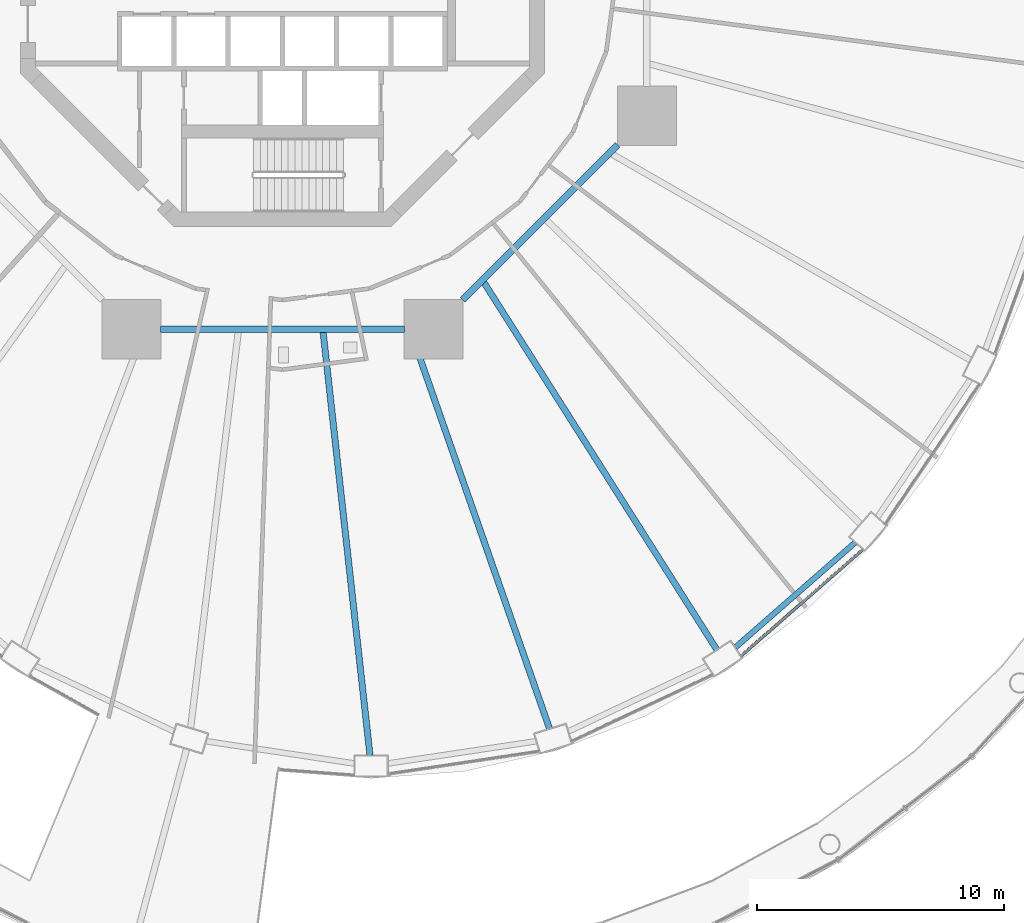
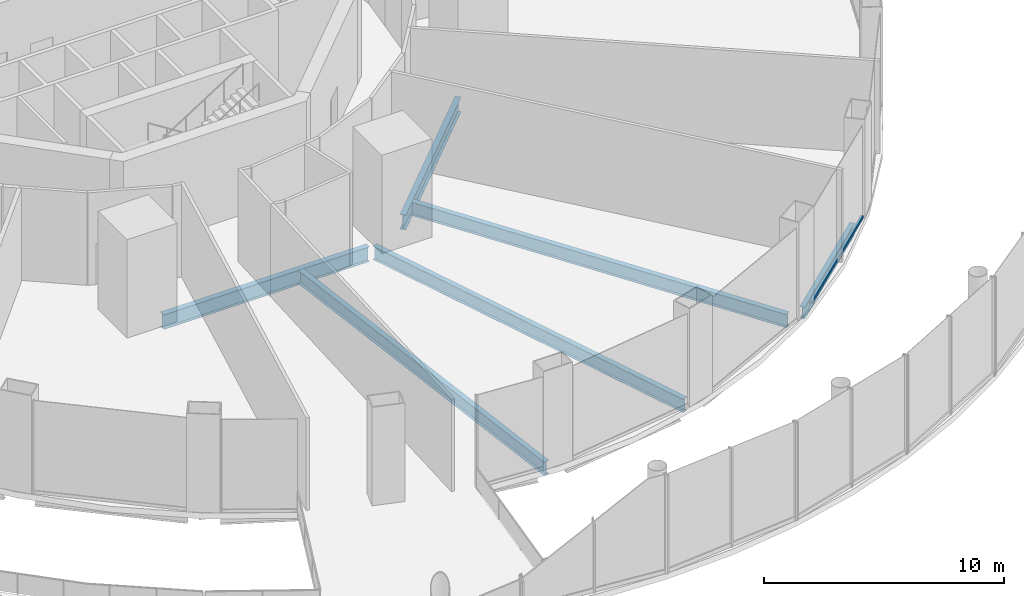
# One storey, part 12 of 48: 6 beams, 1 member, 1 element without a shape of its own.
"""IFC4 building model written with IfcOpenShell, lengths in metres."""

import ifcopenshell
import ifcopenshell.guid

model = None  # the IFC model being written
_history = None  # IfcOwnerHistory: only IFC2X3 demands one
_inside = {}  # id of a spatial element -> (the spatial element, [elements in it])
_under = {}  # id of a project, library or spatial element -> (it, [spatial elements below it])
_declared = {}  # id of a project -> (the project, [libraries it declares])
_typed = {}  # id of a type object -> (the type object, [elements of that type])
_made_of = {}  # id of a material, layer set ... -> (it, [elements and type objects made of it])


def new_model(schema):
    """Start an empty IFC model of exactly this schema.

    Asked for "IFC4X3", IfcOpenShell would pick the latest addendum, in which some entities
    have other attributes; the version numbers below select the first issue.
    IFC2X3 requires an IfcOwnerHistory on every rooted entity: one is made here for all.
    """
    global model, _history
    if schema == "IFC4X3":
        model = ifcopenshell.file(schema_version=(4, 3, 0, 0))
    else:
        model = ifcopenshell.file(schema=schema)
    _inside.clear()
    _under.clear()
    _declared.clear()
    _typed.clear()
    _made_of.clear()
    _history = None
    if model.schema == "IFC2X3":
        org = make("IfcOrganization", Name="unknown")
        user = make(
            "IfcPersonAndOrganization",
            ThePerson=make("IfcPerson", FamilyName="unknown"),
            TheOrganization=org,
        )
        app = make(
            "IfcApplication",
            ApplicationDeveloper=org,
            Version="unknown",
            ApplicationFullName="unknown",
            ApplicationIdentifier="unknown",
        )
        _history = make(
            "IfcOwnerHistory",
            OwningUser=user,
            OwningApplication=app,
            ChangeAction="ADDED",
            CreationDate=0,
        )
    return model


def make(cls, **values):
    """One entity of the class cls with the attributes given. An attribute that is None is left unset."""
    return model.create_entity(
        cls, **{name: value for name, value in values.items() if value is not None}
    )


def rooted(cls, **values):
    """An entity with a GlobalId (a new one), such as an element, a storey or a relation."""
    return make(cls, GlobalId=ifcopenshell.guid.new(), OwnerHistory=_history, **values)


def si_unit(unit_type, name, prefix=None):
    """IfcSIUnit, for example si_unit("LENGTHUNIT", "METRE", prefix="MILLI")."""
    return make("IfcSIUnit", UnitType=unit_type, Prefix=prefix, Name=name)


def assignment(units):
    """IfcUnitAssignment: the units of a project."""
    return None if units is None else make("IfcUnitAssignment", Units=units)


def point(xyz):
    """IfcCartesianPoint."""
    return None if xyz is None else make("IfcCartesianPoint", Coordinates=xyz)


def direction(xyz):
    """IfcDirection."""
    return None if xyz is None else make("IfcDirection", DirectionRatios=xyz)


def frame(location, z_axis=None, x_axis=None):
    """IfcAxis2Placement3D, a coordinate frame: its origin and axes. An axis left out is left unset."""
    return make(
        "IfcAxis2Placement3D",
        Location=point(location),
        Axis=direction(z_axis),
        RefDirection=direction(x_axis),
    )


def frame_2d(location, x_axis=None):
    """IfcAxis2Placement2D, a coordinate frame in the plane: its origin and x axis."""
    return make(
        "IfcAxis2Placement2D", Location=point(location), RefDirection=direction(x_axis)
    )


def origin():
    """The frame at (0, 0, 0) with its axes left unset."""
    return frame((0.0, 0.0, 0.0))


def origin_2d():
    """The frame at (0, 0) in the plane with its x axis left unset."""
    return frame_2d((0.0, 0.0))


def place(relative_to, where):
    """IfcLocalPlacement: puts the frame where relative to a parent placement (None: the world)."""
    return make(
        "IfcLocalPlacement", PlacementRelTo=relative_to, RelativePlacement=where
    )


def context(
    kind, dimensions, precision=None, world=None, true_north=None, identifier=None
):
    """IfcGeometricRepresentationContext, for example the 3D "Model" context."""
    return make(
        "IfcGeometricRepresentationContext",
        ContextIdentifier=identifier,
        ContextType=kind,
        CoordinateSpaceDimension=dimensions,
        Precision=precision,
        WorldCoordinateSystem=world,
        TrueNorth=true_north,
    )


def subcontext(parent, identifier, kind, view, scale=None):
    """IfcGeometricRepresentationSubContext, for example "Body" below "Model"."""
    return make(
        "IfcGeometricRepresentationSubContext",
        ContextIdentifier=identifier,
        ContextType=kind,
        ParentContext=parent,
        TargetScale=scale,
        TargetView=view,
    )


def project(units=None, contexts=None):
    """IfcProject with its units and contexts."""
    return rooted(
        "IfcProject",
        Name="project",
        RepresentationContexts=contexts,
        UnitsInContext=assignment(units),
    )


def spatial(cls, under=None, at=None, **own):
    """A site, building, storey or space (cls), placed at a placement, below another one or the project."""
    s = rooted(cls, ObjectPlacement=at, **own)
    if under is not None:
        _under.setdefault(under.id(), (under, []))[1].append(s)
    return s


def profile(cls, at=None, kind="AREA", **sizes):
    """A parametric profile (cls). Its sizes go by their IFC names, for example OverallWidth=200.0."""
    return make(cls, ProfileType=kind, Position=at, **sizes)


def hollow_rectangle(**sizes):
    """IfcRectangleHollowProfileDef."""
    return profile("IfcRectangleHollowProfileDef", **sizes)


def i_section(**sizes):
    """IfcIShapeProfileDef."""
    return profile("IfcIShapeProfileDef", **sizes)


def extrude(swept, where, along, depth):
    """IfcExtrudedAreaSolid: the profile swept, set in the frame where, extruded along a direction by depth."""
    return make(
        "IfcExtrudedAreaSolid",
        SweptArea=swept,
        Position=where,
        ExtrudedDirection=direction(along),
        Depth=depth,
    )


def shape(context_of_items, identifier, shape_type, items):
    """IfcShapeRepresentation: the items that make up one representation, for example the "Body"."""
    return make(
        "IfcShapeRepresentation",
        ContextOfItems=context_of_items,
        RepresentationIdentifier=identifier,
        RepresentationType=shape_type,
        Items=items,
    )


def material(Name=None, Category=None):
    """IfcMaterial."""
    return make("IfcMaterial", Name=Name, Category=Category)


def layer(
    of_material, thickness, ventilated=None, Name=None, Category=None, Priority=None
):
    """IfcMaterialLayer: one layer of a wall or slab, of a material (None: an air gap)."""
    return make(
        "IfcMaterialLayer",
        Material=of_material,
        LayerThickness=thickness,
        IsVentilated=ventilated,
        Name=Name,
        Category=Category,
        Priority=Priority,
    )


def layer_set(layers, Name=None):
    """IfcMaterialLayerSet."""
    return make("IfcMaterialLayerSet", MaterialLayers=layers, LayerSetName=Name)


def material_profile(
    of_material, cross_section, Name=None, Category=None, Priority=None
):
    """IfcMaterialProfile: a cross section and its material."""
    return make(
        "IfcMaterialProfile",
        Name=Name,
        Material=of_material,
        Profile=cross_section,
        Priority=Priority,
        Category=Category,
    )


def profile_set(profiles, Name=None, composite=None):
    """IfcMaterialProfileSet."""
    return make(
        "IfcMaterialProfileSet",
        Name=Name,
        MaterialProfiles=profiles,
        CompositeProfile=composite,
    )


def made_of(thing, what):
    """Note that an element or type object is made of a material, layer set ...; save() writes the relation."""
    if what is not None:
        _made_of.setdefault(what.id(), (what, []))[1].append(thing)
    return thing


def type_object(cls, material=None, **own):
    """A type object (cls), such as IfcWallType, which elements share."""
    return made_of(rooted(cls, **own), material)


def element(
    cls,
    number,
    at=None,
    inside=None,
    cuts=None,
    type_object=None,
    material=None,
    context=None,
    identifier="Body",
    shape_type=None,
    held_by="IfcProductDefinitionShape",
    body=None,
    shapes=None,
    **own,
):
    """One element of the class cls, such as IfcWall. Its Tag is "e" and its number.

    at: its placement. inside: the storey or other place that contains it. cuts: it is an
    opening in that element (IfcRelVoidsElement). A single representation is given by context,
    identifier, shape_type and body (its items); several are given by shapes. held_by: the class
    of the entity that holds the representations. save() writes the other relations.
    """
    e = rooted(cls, Tag="e%d" % number, ObjectPlacement=at, **own)
    if body is not None:
        shapes = [shape(context, identifier, shape_type, body)]
    if shapes is not None:
        e.Representation = make(held_by, Representations=shapes)
    if inside is not None:
        _inside.setdefault(inside.id(), (inside, []))[1].append(e)
    if cuts is not None:
        rooted(
            "IfcRelVoidsElement", RelatingBuildingElement=cuts, RelatedOpeningElement=e
        )
    if type_object is not None:
        _typed.setdefault(type_object.id(), (type_object, []))[1].append(e)
    return made_of(e, material)


def aggregate(whole, parts):
    """IfcRelAggregates: a whole, such as a stair, and the parts it consists of."""
    return rooted("IfcRelAggregates", RelatingObject=whole, RelatedObjects=parts)


def save(model, path):
    """Write the relations noted so far, then the file.

    IfcRelAggregates (storeys below a building ...), IfcRelContainedInSpatialStructure (elements
    in a storey), IfcRelDefinesByType, IfcRelAssociatesMaterial and IfcRelDeclares: one each for
    every whole, place, type object, material and project.
    """
    for whole, parts in _under.values():
        aggregate(whole, parts)
    for where, things in _inside.values():
        rooted(
            "IfcRelContainedInSpatialStructure",
            RelatedElements=things,
            RelatingStructure=where,
        )
    for kind, things in _typed.values():
        rooted("IfcRelDefinesByType", RelatedObjects=things, RelatingType=kind)
    for what, things in _made_of.values():
        rooted("IfcRelAssociatesMaterial", RelatedObjects=things, RelatingMaterial=what)
    for by, libraries in _declared.values():
        rooted("IfcRelDeclares", RelatingContext=by, RelatedDefinitions=libraries)
    model.write(path)


model = new_model("IFC4")

# Units and contexts
model_context = context("Model", 3, precision=1e-05, world=origin(), true_north=direction((0.0, 1.0)))
body_context = subcontext(model_context, "Body", "Model", "MODEL_VIEW")
ifc_project = project(units=[si_unit("LENGTHUNIT", "METRE"), si_unit("AREAUNIT", "SQUARE_METRE"), si_unit("VOLUMEUNIT", "CUBIC_METRE"), si_unit("PLANEANGLEUNIT", "RADIAN"), si_unit("MASSUNIT", "GRAM", prefix="KILO")], contexts=[model_context])

# Site, building, storey
site_placement = place(None, origin())
site = spatial("IfcSite", under=ifc_project, at=site_placement, CompositionType="ELEMENT")
building_placement = place(site_placement, origin())
building = spatial("IfcBuilding", under=site, at=building_placement, Name="Nagisa Residences", CompositionType="ELEMENT")
storey_placement = place(building_placement, frame((0.0, 0.0, 12.0)))
storey = spatial("IfcBuildingStorey", under=building, at=storey_placement, Name="L02", CompositionType="ELEMENT", Elevation=12.0)

# Curtain wall, member
ifc_material_1 = material(Name="Stainless steel curtain wall system", Category="steel")
ifc_layer = layer(ifc_material_1, 0.159912109375)
ifc_layer_set = layer_set([ifc_layer], Name="CW6 CURTAIN WALL")
curtain_wall_type = type_object("IfcCurtainWallType", Name="CW6 CURTAIN WALL", PredefinedType="NOTDEFINED", material=ifc_layer_set)
curtain_wall_placement = place(storey_placement, origin())
curtain_wall = element("IfcCurtainWall", 1, at=curtain_wall_placement, inside=storey, type_object=curtain_wall_type, Name="cw:CW6:L02:40", PredefinedType="NOTDEFINED")
ifc_material_2 = material(Name="Stainless steel", Category="steel")
ifc_material_profile_1 = material_profile(ifc_material_2, hollow_rectangle(XDim=0.1201171875, YDim=0.14990234375, WallThickness=0.008056640625, at=origin_2d()), Name="CW6 TRANSOM 120x150")
ifc_profile_set_1 = profile_set([ifc_material_profile_1], Name="Stainless steel")
member_type = type_object("IfcMemberType", Name="CW6 TRANSOM 120x150", PredefinedType="USERDEFINED", material=ifc_profile_set_1)
member_placement = place(storey_placement, frame((18.57470703125, -28.05810546875, 0.074951171875), z_axis=(0.753255020636, 0.657728571591, 0.0), x_axis=(-0.657728571591, 0.753255020636, 0.0)))
member = element("IfcMember", 2, at=member_placement, type_object=member_type, Name="CW6 transom", ObjectType="TRANSOM", PredefinedType="USERDEFINED", context=body_context, shape_type="SweptSolid", body=[
    extrude(hollow_rectangle(XDim=0.1201171875, YDim=0.14990234375, WallThickness=0.008056640625, at=origin_2d()), origin(), (0.0, 0.0, 1.0), 6.5732421875),
])
aggregate(curtain_wall, [member])

# Beams
ifc_material_3 = material(Name="Steel ASTM A572 Gr 50", Category="steel")
ifc_material_profile_2 = material_profile(ifc_material_3, i_section(OverallWidth=0.264892578125, OverallDepth=0.7529296875, WebThickness=0.01318359375, FlangeThickness=0.01708984375, at=origin_2d()), Name="W760x147")
ifc_profile_set_2 = profile_set([ifc_material_profile_2], Name="Steel ASTM A572 Gr 50")
beam_type_1 = type_object("IfcBeamType", Name="Inner ring beam W760x147", PredefinedType="BEAM", material=ifc_profile_set_2)
beam_1_placement = place(storey_placement, frame((-4.94287109375, -14.781982421875, -0.676513671875), z_axis=(1.0, 0.0, 0.0), x_axis=(0.0, 1.0, 0.0)))
element("IfcBeam", 3, at=beam_1_placement, inside=storey, type_object=beam_type_1, Name="beam:L02:ib6", PredefinedType="BEAM", context=body_context, shape_type="SweptSolid", body=[
    extrude(i_section(OverallWidth=0.264892578125, OverallDepth=0.7529296875, WebThickness=0.01318359375, FlangeThickness=0.01708984375, at=origin_2d()), origin(), (0.0, 0.0, 1.0), 9.8857421875),
])
beam_2_placement = place(storey_placement, frame((7.308837890625, -13.59619140625, -0.676513671875), z_axis=(0.707106781187, 0.707106781187, 0.0), x_axis=(-0.707106781187, 0.707106781187, 0.0)))
element("IfcBeam", 4, at=beam_2_placement, inside=storey, type_object=beam_type_1, Name="beam:L02:ib7", PredefinedType="BEAM", context=body_context, shape_type="SweptSolid", body=[
    extrude(i_section(OverallWidth=0.264892578125, OverallDepth=0.7529296875, WebThickness=0.01318359375, FlangeThickness=0.01708984375, at=origin_2d()), origin(), (0.0, 0.0, 1.0), 8.8916015625),
])
ifc_material_4 = material(Name="Steel ASTM A572 Gr 50", Category="steel")
ifc_material_profile_3 = material_profile(ifc_material_4, i_section(OverallWidth=0.22802734375, OverallDepth=0.60302734375, WebThickness=0.010498046875, FlangeThickness=0.014892578125, at=origin_2d()), Name="W610x101")
ifc_profile_set_3 = profile_set([ifc_material_profile_3], Name="Steel ASTM A572 Gr 50")
beam_type_2 = type_object("IfcBeamType", Name="Perimeter ring beam W610x101", PredefinedType="BEAM", material=ifc_profile_set_3)
beam_3_placement = place(storey_placement, frame((18.36669921875, -27.693603515625, -0.6015625), z_axis=(0.7525907186, 0.658488580217, 0.0), x_axis=(-0.658488580217, 0.7525907186, 0.0)))
element("IfcBeam", 5, at=beam_3_placement, inside=storey, type_object=beam_type_2, Name="beam:L02:pb21", PredefinedType="BEAM", context=body_context, shape_type="SweptSolid", body=[
    extrude(i_section(OverallWidth=0.22802734375, OverallDepth=0.60302734375, WebThickness=0.010498046875, FlangeThickness=0.014892578125, at=origin_2d()), origin(), (0.0, 0.0, 1.0), 6.470458984375),
])
ifc_material_5 = material(Name="Steel ASTM A572 Gr 50", Category="steel")
ifc_material_profile_4 = material_profile(ifc_material_5, i_section(OverallWidth=0.25390625, OverallDepth=0.68408203125, WebThickness=0.012451171875, FlangeThickness=0.018798828125, at=origin_2d()), Name="W690x140")
ifc_profile_set_4 = profile_set([ifc_material_profile_4], Name="Steel ASTM A572 Gr 50")
beam_type_3 = type_object("IfcBeamType", Name="Radial beam W690x140", PredefinedType="BEAM", material=ifc_profile_set_4)
beam_4_placement = place(storey_placement, frame((3.55224609375, -32.06982421875, -0.64208984375), z_axis=(-0.110088818647, 0.993921753464, 0.0), x_axis=(-0.993921753464, -0.110088818647, 0.0)))
element("IfcBeam", 6, at=beam_4_placement, inside=storey, type_object=beam_type_3, Name="beam:L02:rb19", PredefinedType="BEAM", context=body_context, shape_type="SweptSolid", body=[
    extrude(i_section(OverallWidth=0.25390625, OverallDepth=0.68408203125, WebThickness=0.012451171875, FlangeThickness=0.018798828125, at=origin_2d()), origin(), (0.0, 0.0, 1.0), 17.280029296875),
])
beam_5_placement = place(storey_placement, frame((10.834228515625, -30.986328125, -0.64208984375), z_axis=(-0.330051195485, 0.943963033364, 0.0), x_axis=(-0.943963033364, -0.330051195485, 0.0)))
element("IfcBeam", 7, at=beam_5_placement, inside=storey, type_object=beam_type_3, Name="beam:L02:rb20", PredefinedType="BEAM", context=body_context, shape_type="SweptSolid", body=[
    extrude(i_section(OverallWidth=0.25390625, OverallDepth=0.68408203125, WebThickness=0.012451171875, FlangeThickness=0.018798828125, at=origin_2d()), origin(), (0.0, 0.0, 1.0), 17.045654296875),
])
beam_6_placement = place(storey_placement, frame((17.61962890625, -27.78271484375, -0.64208984375), z_axis=(-0.53556610664, 0.844493306911, 0.0), x_axis=(-0.844493306911, -0.53556610664, 0.0)))
element("IfcBeam", 8, at=beam_6_placement, inside=storey, type_object=beam_type_3, Name="beam:L02:rb21", PredefinedType="BEAM", context=body_context, shape_type="SweptSolid", body=[
    extrude(i_section(OverallWidth=0.25390625, OverallDepth=0.68408203125, WebThickness=0.012451171875, FlangeThickness=0.018798828125, at=origin_2d()), origin(), (0.0, 0.0, 1.0), 17.63525390625),
])

save(model, "model.ifc")
